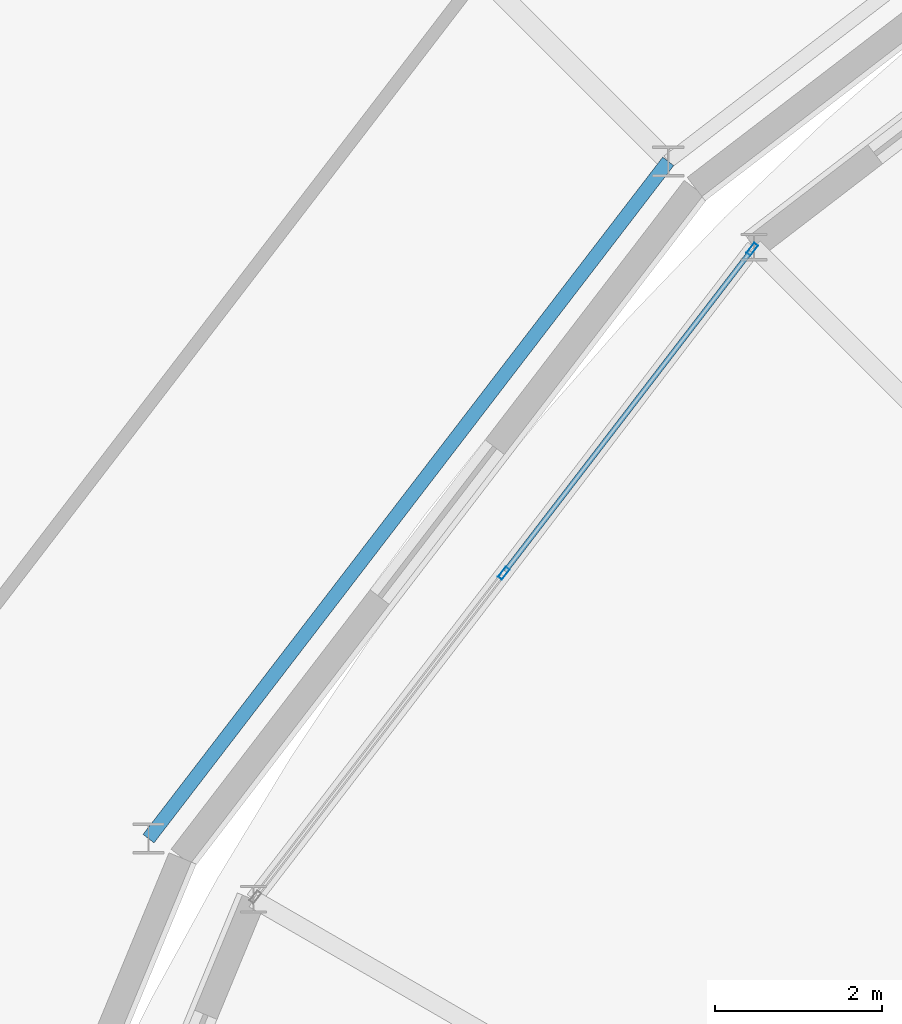
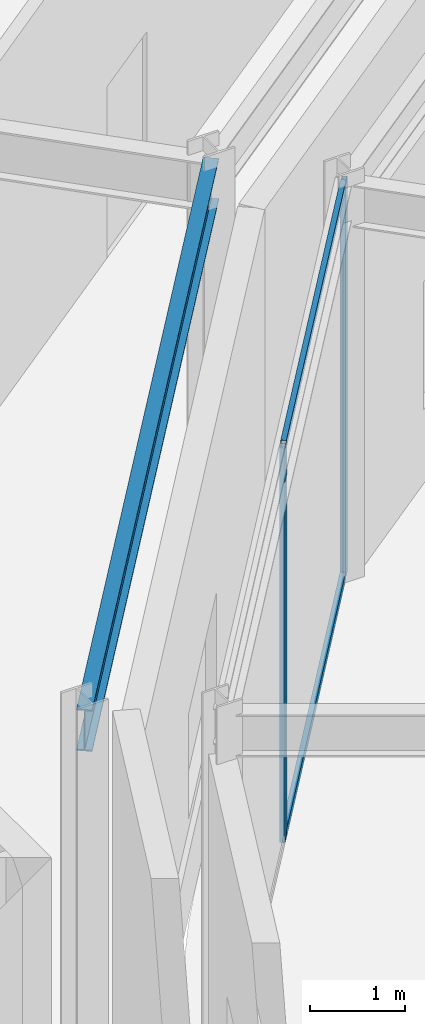
# One storey, part 67 of 168: 4 members, 1 beam, 1 element without a shape of its own.
"""IFC4 building model written with IfcOpenShell, lengths in metres."""

from ifc_helpers import new_model, si_unit, direction, frame, origin, origin_2d, place, context, subcontext, project, spatial, hollow_rectangle, i_section, extrude, material, material_profile, profile_set, type_object, element, aggregate, save


model = new_model("IFC4")

# Units and contexts
model_context = context("Model", 3, precision=1e-05, world=origin(), true_north=direction((0.0, 1.0)))
body_context = subcontext(model_context, "Body", "Model", "MODEL_VIEW")
ifc_project = project(units=[si_unit("LENGTHUNIT", "METRE"), si_unit("AREAUNIT", "SQUARE_METRE"), si_unit("VOLUMEUNIT", "CUBIC_METRE"), si_unit("PLANEANGLEUNIT", "RADIAN"), si_unit("MASSUNIT", "GRAM", prefix="KILO")], contexts=[model_context])

# Site, building, storey
site_placement = place(None, origin())
site = spatial("IfcSite", under=ifc_project, at=site_placement, CompositionType="ELEMENT")
building_placement = place(site_placement, origin())
building = spatial("IfcBuilding", under=site, at=building_placement, Name="Almandine Court Research Institute", CompositionType="ELEMENT")
storey_placement = place(building_placement, origin())
storey = spatial("IfcBuildingStorey", under=building, at=storey_placement, Name="L00", CompositionType="ELEMENT", Elevation=0.0)

# Beam
ifc_material_1 = material(Name="Steel ASTM A992 Grade 50", Category="steel")
ifc_material_profile_1 = material_profile(ifc_material_1, i_section(OverallWidth=0.166015625, OverallDepth=0.534912109375, WebThickness=0.010009765625, FlangeThickness=0.01708984375, at=origin_2d()), Name="W530x85")
ifc_profile_set_1 = profile_set([ifc_material_profile_1], Name="Steel ASTM A992 Grade 50")
beam_type = type_object("IfcBeamType", Name="Beam-G-05-E", PredefinedType="SPANDREL", material=ifc_profile_set_1)
beam_placement = place(storey_placement, frame((59.35205078125, 83.64794921875, 4.802978515625), z_axis=(-0.608784478787, -0.793335653042, 0.0), x_axis=(0.793335653042, -0.608784478787, 0.0)))
element("IfcBeam", 1, at=beam_placement, inside=storey, type_object=beam_type, Name="L00 Drum IN Ring Beam 09", PredefinedType="SPANDREL", context=body_context, shape_type="SweptSolid", body=[
    extrude(i_section(OverallWidth=0.166015625, OverallDepth=0.534912109375, WebThickness=0.010009765625, FlangeThickness=0.01708984375, at=origin_2d()), origin(), (0.0, 0.0, 1.0), 10.20751953125),
])

# Curtain wall, members
ifc_material_2 = material(Name="Unitised Curtain Wall Framing and Solar Glazing", Category="glass")
curtain_wall_type = type_object("IfcCurtainWallType", Name="CW-CWG-23", PredefinedType="USERDEFINED", material=ifc_material_2)
curtain_wall_placement = place(storey_placement, origin())
curtain_wall = element("IfcCurtainWall", 2, at=curtain_wall_placement, inside=storey, type_object=curtain_wall_type, Name="L00 Interaction Atrium Perimeter Curtain Wall 09", ObjectType="UNITISED GLAZING", PredefinedType="USERDEFINED")
ifc_material_3 = material(Name="Anodised Aluminium AW-6063-T6", Category="aluminium")
ifc_material_profile_2 = material_profile(ifc_material_3, hollow_rectangle(XDim=0.06005859375, YDim=0.14990234375, WallThickness=0.00390625, at=origin_2d()), Name="ALU RHS 60x150x4")
ifc_profile_set_2 = profile_set([ifc_material_profile_2], Name="Anodised Aluminium AW-6063-T6")
member_type_1 = type_object("IfcMemberType", Name="CWMul-60x150", PredefinedType="MULLION", material=ifc_profile_set_2)
member_1_placement = place(storey_placement, frame((57.385498046875, 78.72412109375, 0.0), z_axis=(0.0, 0.0, 1.0), x_axis=(-0.793353924979, 0.608760667029, 0.0)))
member_1 = element("IfcMember", 3, at=member_1_placement, type_object=member_type_1, Name="CWG-23 mullion 2", PredefinedType="MULLION", context=body_context, shape_type="SweptSolid", body=[
    extrude(hollow_rectangle(XDim=0.06005859375, YDim=0.14990234375, WallThickness=0.00390625, at=origin_2d()), origin(), (0.0, 0.0, 1.0), 5.070068359375),
])
member_2_placement = place(storey_placement, frame((60.356689453125, 82.59619140625, 0.0), z_axis=(0.0, 0.0, 1.0), x_axis=(-0.793353924979, 0.608760667029, 0.0)))
member_2 = element("IfcMember", 4, at=member_2_placement, type_object=member_type_1, Name="CWG-23 mullion 3", PredefinedType="MULLION", context=body_context, shape_type="SweptSolid", body=[
    extrude(hollow_rectangle(XDim=0.06005859375, YDim=0.14990234375, WallThickness=0.00390625, at=origin_2d()), origin(), (0.0, 0.0, 1.0), 5.070068359375),
])
ifc_material_profile_3 = material_profile(ifc_material_3, hollow_rectangle(XDim=0.06005859375, YDim=0.110107421875, WallThickness=0.00390625, at=origin_2d()), Name="ALU RHS 60x110x4")
ifc_profile_set_3 = profile_set([ifc_material_profile_3], Name="Anodised Aluminium AW-6063-T6")
member_type_2 = type_object("IfcMemberType", Name="CWTrn-60x110", PredefinedType="NOTDEFINED", material=ifc_profile_set_3)
member_3_placement = place(storey_placement, frame((57.40380859375, 78.747802734375, 0.030029296875), z_axis=(0.608731319349, 0.793376443338, 0.0), x_axis=(-0.793376443338, 0.608731319349, 0.0)))
member_3 = element("IfcMember", 5, at=member_3_placement, type_object=member_type_2, Name="CWG-23 transom 2.1", ObjectType="TRANSOM", PredefinedType="USERDEFINED", context=body_context, shape_type="SweptSolid", body=[
    extrude(hollow_rectangle(XDim=0.06005859375, YDim=0.110107421875, WallThickness=0.00390625, at=origin_2d()), origin(), (0.0, 0.0, 1.0), 4.82080078125),
])
member_4_placement = place(storey_placement, frame((57.40380859375, 78.747802734375, 5.0400390625), z_axis=(0.608731319349, 0.793376443338, 0.0), x_axis=(-0.793376443338, 0.608731319349, 0.0)))
member_4 = element("IfcMember", 6, at=member_4_placement, type_object=member_type_2, Name="CWG-23 transom 2.2", ObjectType="TRANSOM", PredefinedType="USERDEFINED", context=body_context, shape_type="SweptSolid", body=[
    extrude(hollow_rectangle(XDim=0.06005859375, YDim=0.110107421875, WallThickness=0.00390625, at=origin_2d()), origin(), (0.0, 0.0, 1.0), 4.82080078125),
])
aggregate(curtain_wall, [member_1, member_2, member_3, member_4])

save(model, "model.ifc")
